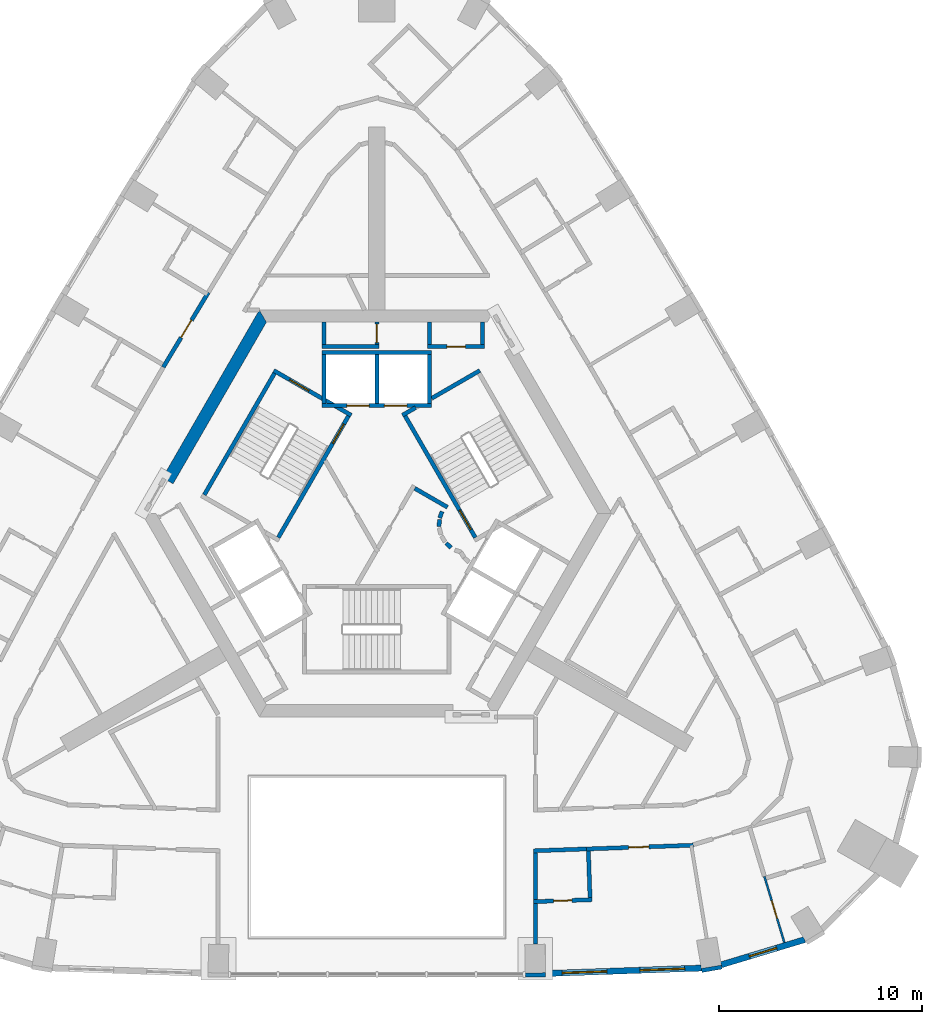
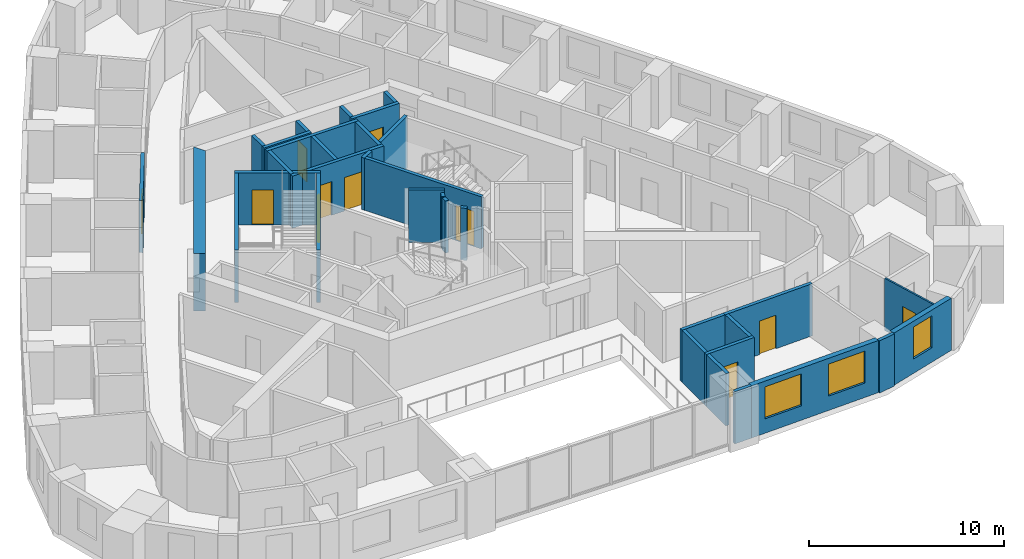
# One storey, part 6 of 12: 34 walls, 11 doors, 3 windows, 14 openings.
"""IFC4 building model written with IfcOpenShell, lengths in metres."""

from ifc_helpers import new_model, si_unit, direction, frame, frame_2d, origin, place, context, subcontext, project, spatial, polyline, rectangle, outline, extrude, material, layer, layer_set, type_object, element, fill, save


model = new_model("IFC4")

# Units and contexts
model_context = context("Model", 3, precision=1e-05, world=origin(), true_north=direction((0.0, 1.0)))
body_context = subcontext(model_context, "Body", "Model", "MODEL_VIEW")
ifc_project = project(units=[si_unit("LENGTHUNIT", "METRE"), si_unit("AREAUNIT", "SQUARE_METRE"), si_unit("VOLUMEUNIT", "CUBIC_METRE"), si_unit("PLANEANGLEUNIT", "RADIAN"), si_unit("MASSUNIT", "GRAM", prefix="KILO")], contexts=[model_context])

# Site, building, storey
site_placement = place(None, origin())
site = spatial("IfcSite", under=ifc_project, at=site_placement, CompositionType="ELEMENT")
building_placement = place(site_placement, origin())
building = spatial("IfcBuilding", under=site, at=building_placement, Name="Entoto Arch Interchange Tower", CompositionType="ELEMENT")
storey_placement = place(building_placement, frame((0.0, 0.0, 255.800048828125)))
storey = spatial("IfcBuildingStorey", under=building, at=storey_placement, Name="L58", CompositionType="ELEMENT", Elevation=255.800048828125)

# Wall
ifc_material_1 = material(Name="Concrete C40/50", Category="concrete")
ifc_layer_1 = layer(ifc_material_1, 0.60009765625)
ifc_layer_set_1 = layer_set([ifc_layer_1], Name="Concrete C40/50")
wall_type_1 = type_object("IfcWallType", Name="Core wall 600 C40/50", PredefinedType="SHEAR", material=ifc_layer_set_1)
wall_1_placement = place(storey_placement, frame((0.0, 0.0, -0.340087890625)))
element("IfcWall", 1, at=wall_1_placement, inside=storey, type_object=wall_type_1, Name="Core wall NW L58", PredefinedType="SHEAR", context=body_context, shape_type="SweptSolid", body=[
    extrude(outline(polyline([(-10.534912109375, 4.2529296875), (-10.014892578125, 3.952880859375), (-5.427001953125, 11.89990234375), (-5.77392578125, 12.5), (-10.534912109375, 4.2529296875)])), origin(), (0.0, 0.0, 1.0), 3.60009765625),
])

# Wall, openings, doors
ifc_layer_2 = layer(ifc_material_1, 0.199951171875)
ifc_layer_set_2 = layer_set([ifc_layer_2], Name="Concrete C40/50")
wall_type_2 = type_object("IfcWallType", Name="LIFT SHAFT WALL 200", PredefinedType="STANDARD", material=ifc_layer_set_2)
wall_2_placement = place(storey_placement, frame((2.699951171875, 7.800048828125, 0.0), z_axis=(0.0, 0.0, 1.0), x_axis=(-1.0, 0.0, 0.0)))
wall_2 = element("IfcWall", 2, at=wall_2_placement, inside=storey, type_object=wall_type_2, Name="Shaft wall N1 front", PredefinedType="STANDARD", context=body_context, shape_type="SweptSolid", body=[
    extrude(rectangle(XDim=5.39990234375, YDim=0.199951171875, at=frame_2d((2.699951171875, 0.0))), origin(), (0.0, 0.0, 1.0), 3.260009765625),
])
opening_1_placement = place(wall_2_placement, frame((1.22509765625, 0.0, 0.0)))
opening_1 = element("IfcOpeningElement", 3, at=opening_1_placement, cuts=wall_2, Name="Opening LD-HR1-L58", PredefinedType="OPENING", context=body_context, shape_type="SweptSolid", body=[
    extrude(rectangle(XDim=1.10009765625, YDim=2.10009765625, at=frame_2d((0.550048828125, 1.050048828125))), frame((0.0, 0.10986328125, 0.0), z_axis=(0.0, -1.0, 0.0), x_axis=(1.0, 0.0, 0.0)), (0.0, 0.0, 1.0), 0.219970703125),
])
opening_2_placement = place(wall_2_placement, frame((3.074951171875, 0.0, 0.0)))
opening_2 = element("IfcOpeningElement", 4, at=opening_2_placement, cuts=wall_2, Name="Opening LD-HR2-L58", PredefinedType="OPENING", context=body_context, shape_type="SweptSolid", body=[
    extrude(rectangle(XDim=1.10009765625, YDim=2.10009765625, at=frame_2d((0.550048828125, 1.050048828125))), frame((0.0, 0.10986328125, 0.0), z_axis=(0.0, -1.0, 0.0), x_axis=(1.0, 0.0, 0.0)), (0.0, 0.0, 1.0), 0.219970703125),
])
ifc_material_2 = material(Name="Stainless steel 1.4301 panels", Category="steel")
door_type_1 = type_object("IfcDoorType", Name="LIFT LANDING DOOR LD1 1100x2100", OperationType="SLIDING_TO_LEFT", PredefinedType="DOOR", material=ifc_material_2)
door_1_placement = place(opening_1_placement, origin())
door_1 = element("IfcDoor", 5, at=door_1_placement, inside=storey, type_object=door_type_1, Name="Lift landing door HR1 L58", OperationType="SLIDING_TO_LEFT", OverallHeight=2.10009765625, OverallWidth=1.10009765625, PredefinedType="DOOR", context=body_context, shape_type="SweptSolid", body=[
    extrude(rectangle(XDim=1.10009765625, YDim=2.10009765625, at=frame_2d((0.550048828125, 1.050048828125))), frame((0.0, 0.02490234375, 0.0), z_axis=(0.0, -1.0, 0.0), x_axis=(1.0, 0.0, 0.0)), (0.0, 0.0, 1.0), 0.050048828125),
])
fill(opening_1, door_1)
door_2_placement = place(opening_2_placement, origin())
door_2 = element("IfcDoor", 6, at=door_2_placement, inside=storey, type_object=door_type_1, Name="Lift landing door HR2 L58", OperationType="SLIDING_TO_LEFT", OverallHeight=2.10009765625, OverallWidth=1.10009765625, PredefinedType="DOOR", context=body_context, shape_type="SweptSolid", body=[
    extrude(rectangle(XDim=1.10009765625, YDim=2.10009765625, at=frame_2d((0.550048828125, 1.050048828125))), frame((0.0, 0.02490234375, 0.0), z_axis=(0.0, -1.0, 0.0), x_axis=(1.0, 0.0, 0.0)), (0.0, 0.0, 1.0), 0.050048828125),
])
fill(opening_2, door_2)

# Walls
wall_3_placement = place(storey_placement, frame((2.699951171875, 10.39990234375, 0.0), z_axis=(0.0, 0.0, 1.0), x_axis=(-1.0, 0.0, 0.0)))
element("IfcWall", 7, at=wall_3_placement, inside=storey, type_object=wall_type_2, Name="Shaft wall N1 back", PredefinedType="STANDARD", context=body_context, shape_type="SweptSolid", body=[
    extrude(rectangle(XDim=5.39990234375, YDim=0.199951171875, at=frame_2d((2.699951171875, 0.0))), origin(), (0.0, 0.0, 1.0), 3.260009765625),
])
for number, where, z_axis, x_axis, name in (
    (8, (2.60009765625, 7.89990234375, 0.0), (0.0, 0.0, 1.0), (0.0, 1.0, 0.0), "Shaft wall N1 cross 1"),
    (9, (0.0, 7.89990234375, 0.0), (0.0, 0.0, 1.0), (0.0, 1.0, 0.0), "Shaft wall N1 cross 2"),
    (10, (-2.60009765625, 7.89990234375, 0.0), (0.0, 0.0, 1.0), (0.0, 1.0, 0.0), "Shaft wall N1 cross 3"),
):
    element("IfcWall", number, at=place(storey_placement, frame(where, z_axis=z_axis, x_axis=x_axis)), inside=storey, type_object=wall_type_2, Name=name, PredefinedType="STANDARD", context=body_context, shape_type="SweptSolid", body=[
        extrude(rectangle(XDim=2.400146484375, YDim=0.199951171875, at=frame_2d((1.2001953125, 0.0))), origin(), (0.0, 0.0, 1.0), 3.260009765625),
    ])

# Wall, opening, door
ifc_material_3 = material(Name="Gypsum board partition on steel studs", Category="steel")
ifc_layer_3 = layer(ifc_material_3, 0.10009765625)
ifc_layer_set_3 = layer_set([ifc_layer_3], Name="Gypsum board partition on steel studs")
wall_type_3 = type_object("IfcWallType", Name="PARTITION 100", PredefinedType="PARTITIONING", material=ifc_layer_set_3)
wall_4_placement = place(storey_placement, frame((19.053955078125, -15.343994140625, 0.0), z_axis=(0.0, 0.0, 1.0), x_axis=(0.288803435252, -0.957388414274, 0.0)))
wall_4 = element("IfcWall", 11, at=wall_4_placement, inside=storey, type_object=wall_type_3, Name="wall:L58:p125", PredefinedType="PARTITIONING", context=body_context, shape_type="SweptSolid", body=[
    extrude(rectangle(XDim=3.39990234375, YDim=0.10009765625, at=frame_2d((1.699951171875, 0.0))), origin(), (0.0, 0.0, 1.0), 3.260009765625),
])
opening_3_placement = place(wall_4_placement, frame((1.25, 0.0, 0.0)))
opening_3 = element("IfcOpeningElement", 12, at=opening_3_placement, cuts=wall_4, Name="Opening L58-D04", PredefinedType="OPENING", context=body_context, shape_type="SweptSolid", body=[
    extrude(rectangle(XDim=0.89990234375, YDim=2.10009765625, at=frame_2d((0.449951171875, 1.050048828125))), frame((0.0, 0.06005859375, 0.0), z_axis=(0.0, -1.0, 0.0), x_axis=(1.0, 0.0, 0.0)), (0.0, 0.0, 1.0), 0.1201171875),
])
ifc_material_4 = material(Name="Timber door leaf in Steel S235 frame", Category="steel")
door_type_2 = type_object("IfcDoorType", Name="DOOR DS-09 900x2100", OperationType="SINGLE_SWING_LEFT", PredefinedType="DOOR", material=ifc_material_4)
door_3_placement = place(opening_3_placement, origin())
door_3 = element("IfcDoor", 13, at=door_3_placement, inside=storey, type_object=door_type_2, Name="door:L58:04", OperationType="SINGLE_SWING_RIGHT", OverallHeight=2.10009765625, OverallWidth=0.89990234375, PredefinedType="DOOR", context=body_context, shape_type="SweptSolid", body=[
    extrude(rectangle(XDim=0.89990234375, YDim=2.10009765625, at=frame_2d((0.449951171875, 1.050048828125))), frame((0.0, 0.02490234375, 0.0), z_axis=(0.0, -1.0, 0.0), x_axis=(1.0, 0.0, 0.0)), (0.0, 0.0, 1.0), 0.050048828125),
])
fill(opening_3, door_3)

ifc_layer_4 = layer(ifc_material_3, 0.199951171875)
ifc_layer_set_4 = layer_set([ifc_layer_4], Name="Gypsum board partition on steel studs")
wall_type_4 = type_object("IfcWallType", Name="PARTITION 200", PredefinedType="PARTITIONING", material=ifc_layer_set_4)
wall_5_placement = place(storey_placement, frame((15.55908203125, -13.81396484375, 0.0), z_axis=(0.0, 0.0, 1.0), x_axis=(-0.999388410674, -0.034968623214, 0.0)))
wall_5 = element("IfcWall", 14, at=wall_5_placement, inside=storey, type_object=wall_type_4, Name="wall:L58:p036", PredefinedType="PARTITIONING", context=body_context, shape_type="SweptSolid", body=[
    extrude(rectangle(XDim=5.26416015625, YDim=0.199951171875, at=frame_2d((2.632080078125, 0.0))), origin(), (0.0, 0.0, 1.0), 3.260009765625),
])
opening_4_placement = place(wall_5_placement, frame((2.181884765625, 0.0, 0.0)))
opening_4 = element("IfcOpeningElement", 15, at=opening_4_placement, cuts=wall_5, Name="Opening L58-D01", PredefinedType="OPENING", context=body_context, shape_type="SweptSolid", body=[
    extrude(rectangle(XDim=1.0, YDim=2.10009765625, at=frame_2d((0.5, 1.050048828125))), frame((0.0, 0.10986328125, 0.0), z_axis=(0.0, -1.0, 0.0), x_axis=(1.0, 0.0, 0.0)), (0.0, 0.0, 1.0), 0.219970703125),
])
ifc_material_5 = material(Name="Fire-rated Steel S235 door and frame", Category="steel")
door_type_3 = type_object("IfcDoorType", Name="DOOR FD-10 1000x2100", OperationType="SINGLE_SWING_LEFT", PredefinedType="DOOR", material=ifc_material_5)
door_4_placement = place(opening_4_placement, origin())
door_4 = element("IfcDoor", 16, at=door_4_placement, inside=storey, type_object=door_type_3, Name="door:L58:01", OperationType="SINGLE_SWING_LEFT", OverallHeight=2.10009765625, OverallWidth=1.0, PredefinedType="DOOR", context=body_context, shape_type="SweptSolid", body=[
    extrude(rectangle(XDim=1.0, YDim=2.10009765625, at=frame_2d((0.5, 1.050048828125))), frame((0.0, 0.02490234375, 0.0), z_axis=(0.0, -1.0, 0.0), x_axis=(1.0, 0.0, 0.0)), (0.0, 0.0, 1.0), 0.050048828125),
])
fill(opening_4, door_4)

# Wall
wall_6_placement = place(storey_placement, frame((10.298095703125, -13.998046875, 0.0), z_axis=(0.0, 0.0, 1.0), x_axis=(-0.999386321032, -0.035028293342, 0.0)))
element("IfcWall", 17, at=wall_6_placement, inside=storey, type_object=wall_type_4, Name="wall:L58:p037", PredefinedType="PARTITIONING", context=body_context, shape_type="SweptSolid", body=[
    extrude(rectangle(XDim=2.599853515625, YDim=0.199951171875, at=frame_2d((1.2998046875, 0.0))), origin(), (0.0, 0.0, 1.0), 3.260009765625),
])

# Wall, opening, door
wall_7_placement = place(storey_placement, frame((-10.498046875, 9.68896484375, 0.0), z_axis=(0.0, 0.0, 1.0), x_axis=(0.516353342298, 0.856375633643, 0.0)))
wall_7 = element("IfcWall", 18, at=wall_7_placement, inside=storey, type_object=wall_type_4, Name="wall:L58:p058", PredefinedType="PARTITIONING", context=body_context, shape_type="SweptSolid", body=[
    extrude(rectangle(XDim=4.2880859375, YDim=0.199951171875, at=frame_2d((2.14404296875, 0.0))), origin(), (0.0, 0.0, 1.0), 3.260009765625),
])
opening_5_placement = place(wall_7_placement, frame((1.694091796875, 0.0, 0.0)))
opening_5 = element("IfcOpeningElement", 19, at=opening_5_placement, cuts=wall_7, Name="Opening L58-D21", PredefinedType="OPENING", context=body_context, shape_type="SweptSolid", body=[
    extrude(rectangle(XDim=1.0, YDim=2.10009765625, at=frame_2d((0.5, 1.050048828125))), frame((0.0, 0.10986328125, 0.0), z_axis=(0.0, -1.0, 0.0), x_axis=(1.0, 0.0, 0.0)), (0.0, 0.0, 1.0), 0.219970703125),
])
door_5_placement = place(opening_5_placement, origin())
door_5 = element("IfcDoor", 20, at=door_5_placement, inside=storey, type_object=door_type_3, Name="door:L58:21", OperationType="SINGLE_SWING_RIGHT", OverallHeight=2.10009765625, OverallWidth=1.0, PredefinedType="DOOR", context=body_context, shape_type="SweptSolid", body=[
    extrude(rectangle(XDim=1.0, YDim=2.10009765625, at=frame_2d((0.5, 1.050048828125))), frame((0.0, 0.02490234375, 0.0), z_axis=(0.0, -1.0, 0.0), x_axis=(1.0, 0.0, 0.0)), (0.0, 0.0, 1.0), 0.050048828125),
])
fill(opening_5, door_5)

# Wall
wall_8_placement = place(storey_placement, frame((5.199951171875, 11.89990234375, 0.0), z_axis=(0.0, 0.0, 1.0), x_axis=(0.0, -1.0, 0.0)))
element("IfcWall", 21, at=wall_8_placement, inside=storey, type_object=wall_type_4, Name="wall:L58:p072", PredefinedType="PARTITIONING", context=body_context, shape_type="SweptSolid", body=[
    extrude(rectangle(XDim=1.099853515625, YDim=0.199951171875, at=frame_2d((0.5498046875, 0.0))), origin(), (0.0, 0.0, 1.0), 3.260009765625),
])

# Wall, opening, door
wall_9_placement = place(storey_placement, frame((5.300048828125, 10.699951171875, 0.0), z_axis=(0.0, 0.0, 1.0), x_axis=(-1.0, 0.0, 0.0)))
wall_9 = element("IfcWall", 22, at=wall_9_placement, inside=storey, type_object=wall_type_4, Name="wall:L58:p073", PredefinedType="PARTITIONING", context=body_context, shape_type="SweptSolid", body=[
    extrude(rectangle(XDim=2.800048828125, YDim=0.199951171875, at=frame_2d((1.39990234375, 0.0))), origin(), (0.0, 0.0, 1.0), 3.260009765625),
])
opening_6_placement = place(wall_9_placement, frame((0.949951171875, 0.0, 0.0)))
opening_6 = element("IfcOpeningElement", 23, at=opening_6_placement, cuts=wall_9, Name="Opening L58-D48", PredefinedType="OPENING", context=body_context, shape_type="SweptSolid", body=[
    extrude(rectangle(XDim=0.89990234375, YDim=2.10009765625, at=frame_2d((0.449951171875, 1.050048828125))), frame((0.0, 0.10986328125, 0.0), z_axis=(0.0, -1.0, 0.0), x_axis=(1.0, 0.0, 0.0)), (0.0, 0.0, 1.0), 0.219970703125),
])
door_6_placement = place(opening_6_placement, origin())
door_6 = element("IfcDoor", 24, at=door_6_placement, inside=storey, type_object=door_type_2, Name="door:L58:48", OperationType="SINGLE_SWING_RIGHT", OverallHeight=2.10009765625, OverallWidth=0.89990234375, PredefinedType="DOOR", context=body_context, shape_type="SweptSolid", body=[
    extrude(rectangle(XDim=0.89990234375, YDim=2.10009765625, at=frame_2d((0.449951171875, 1.050048828125))), frame((0.0, 0.02490234375, 0.0), z_axis=(0.0, -1.0, 0.0), x_axis=(1.0, 0.0, 0.0)), (0.0, 0.0, 1.0), 0.050048828125),
])
fill(opening_6, door_6)

# Wall
wall_10_placement = place(storey_placement, frame((2.60009765625, 10.800048828125, 0.0), z_axis=(0.0, 0.0, 1.0), x_axis=(0.0, 1.0, 0.0)))
element("IfcWall", 25, at=wall_10_placement, inside=storey, type_object=wall_type_4, Name="wall:L58:p074", PredefinedType="PARTITIONING", context=body_context, shape_type="SweptSolid", body=[
    extrude(rectangle(XDim=1.099853515625, YDim=0.199951171875, at=frame_2d((0.5498046875, 0.0))), origin(), (0.0, 0.0, 1.0), 3.260009765625),
])

# Wall, opening, door
wall_11_placement = place(storey_placement, frame((0.0, 11.89990234375, 0.0), z_axis=(0.0, 0.0, 1.0), x_axis=(0.0, -1.0, 0.0)))
wall_11 = element("IfcWall", 26, at=wall_11_placement, inside=storey, type_object=wall_type_4, Name="wall:L58:p075", PredefinedType="PARTITIONING", context=body_context, shape_type="SweptSolid", body=[
    extrude(rectangle(XDim=1.099853515625, YDim=0.199951171875, at=frame_2d((0.5498046875, 0.0))), origin(), (0.0, 0.0, 1.0), 3.260009765625),
])
opening_7_placement = place(wall_11_placement, frame((0.10009765625, 0.0, 0.0)))
opening_7 = element("IfcOpeningElement", 27, at=opening_7_placement, cuts=wall_11, Name="Opening L58-D49", PredefinedType="OPENING", context=body_context, shape_type="SweptSolid", body=[
    extrude(rectangle(XDim=0.89990234375, YDim=2.10009765625, at=frame_2d((0.449951171875, 1.050048828125))), frame((0.0, 0.10986328125, 0.0), z_axis=(0.0, -1.0, 0.0), x_axis=(1.0, 0.0, 0.0)), (0.0, 0.0, 1.0), 0.219970703125),
])
door_7_placement = place(opening_7_placement, origin())
door_7 = element("IfcDoor", 28, at=door_7_placement, inside=storey, type_object=door_type_2, Name="door:L58:49", OperationType="SINGLE_SWING_LEFT", OverallHeight=2.10009765625, OverallWidth=0.89990234375, PredefinedType="DOOR", context=body_context, shape_type="SweptSolid", body=[
    extrude(rectangle(XDim=0.89990234375, YDim=2.10009765625, at=frame_2d((0.449951171875, 1.050048828125))), frame((0.0, 0.02490234375, 0.0), z_axis=(0.0, -1.0, 0.0), x_axis=(1.0, 0.0, 0.0)), (0.0, 0.0, 1.0), 0.050048828125),
])
fill(opening_7, door_7)

# Walls
wall_12_placement = place(storey_placement, frame((0.10009765625, 10.699951171875, 0.0), z_axis=(0.0, 0.0, 1.0), x_axis=(-1.0, 0.0, 0.0)))
element("IfcWall", 29, at=wall_12_placement, inside=storey, type_object=wall_type_4, Name="wall:L58:p076", PredefinedType="PARTITIONING", context=body_context, shape_type="SweptSolid", body=[
    extrude(rectangle(XDim=2.800048828125, YDim=0.199951171875, at=frame_2d((1.39990234375, 0.0))), origin(), (0.0, 0.0, 1.0), 3.260009765625),
])
wall_13_placement = place(storey_placement, frame((-2.60009765625, 10.800048828125, 0.0), z_axis=(0.0, 0.0, 1.0), x_axis=(0.0, 1.0, 0.0)))
element("IfcWall", 30, at=wall_13_placement, inside=storey, type_object=wall_type_4, Name="wall:L58:p077", PredefinedType="PARTITIONING", context=body_context, shape_type="SweptSolid", body=[
    extrude(rectangle(XDim=1.099853515625, YDim=0.199951171875, at=frame_2d((0.5498046875, 0.0))), origin(), (0.0, 0.0, 1.0), 3.260009765625),
])
wall_14_placement = place(storey_placement, frame((1.865966796875, 3.73193359375, 0.0), z_axis=(0.0, 0.0, 1.0), x_axis=(0.866043361281, -0.499968895414, 0.0)))
element("IfcWall", 31, at=wall_14_placement, inside=storey, type_object=wall_type_4, Name="wall:L58:p095", PredefinedType="PARTITIONING", context=body_context, shape_type="SweptSolid", body=[
    extrude(rectangle(XDim=1.85791015625, YDim=0.199951171875, at=frame_2d((0.928955078125, 0.0))), origin(), (0.0, 0.0, 1.0), 3.260009765625),
])
wall_15_placement = place(storey_placement, frame((3.2080078125, 2.592041015625, 0.0), z_axis=(0.0, 0.0, 1.0), x_axis=(-0.337388820924, -0.941365382578, 0.0)))
element("IfcWall", 32, at=wall_15_placement, inside=storey, type_object=wall_type_4, Name="wall:L58:p096", PredefinedType="PARTITIONING", context=body_context, shape_type="SweptSolid", body=[
    extrude(rectangle(XDim=0.337890625, YDim=0.199951171875, at=frame_2d((0.1689453125, 0.0))), origin(), (0.0, 0.0, 1.0), 3.260009765625),
])
wall_16_placement = place(storey_placement, frame((3.0791015625, 2.198974609375, 0.0), z_axis=(0.0, 0.0, 1.0), x_axis=(-0.047771483479, -0.998858290933, 0.0)))
element("IfcWall", 33, at=wall_16_placement, inside=storey, type_object=wall_type_4, Name="wall:L58:p097", PredefinedType="PARTITIONING", context=body_context, shape_type="SweptSolid", body=[
    extrude(rectangle(XDim=0.33740234375, YDim=0.199951171875, at=frame_2d((0.168701171875, 0.0))), origin(), (0.0, 0.0, 1.0), 3.260009765625),
])
wall_17_placement = place(storey_placement, frame((3.404052734375, 1.0390625, 0.0), z_axis=(0.0, 0.0, 1.0), x_axis=(0.740267097712, -0.672312891476, 0.0)))
element("IfcWall", 34, at=wall_17_placement, inside=storey, type_object=wall_type_4, Name="wall:L58:p100", PredefinedType="PARTITIONING", context=body_context, shape_type="SweptSolid", body=[
    extrude(rectangle(XDim=0.337646484375, YDim=0.199951171875, at=frame_2d((0.1689453125, 0.0))), origin(), (0.0, 0.0, 1.0), 3.260009765625),
])
wall_18_placement = place(storey_placement, frame((7.800048828125, -16.68603515625, 0.0), z_axis=(0.0, 0.0, 1.0), x_axis=(0.0, -1.0, 0.0)))
element("IfcWall", 35, at=wall_18_placement, inside=storey, type_object=wall_type_4, Name="wall:L58:p107", PredefinedType="PARTITIONING", context=body_context, shape_type="SweptSolid", body=[
    extrude(rectangle(XDim=1.98291015625, YDim=0.199951171875, at=frame_2d((0.991455078125, 0.0))), origin(), (0.0, 0.0, 1.0), 3.260009765625),
])
wall_19_placement = place(storey_placement, frame((7.800048828125, -14.18505859375, 0.0), z_axis=(0.0, 0.0, 1.0), x_axis=(0.0, -1.0, 0.0)))
element("IfcWall", 36, at=wall_19_placement, inside=storey, type_object=wall_type_4, Name="wall:L58:p108", PredefinedType="PARTITIONING", context=body_context, shape_type="SweptSolid", body=[
    extrude(rectangle(XDim=2.301025390625, YDim=0.199951171875, at=frame_2d((1.150390625, 0.0))), origin(), (0.0, 0.0, 1.0), 3.260009765625),
])

# Wall, opening, door
wall_20_placement = place(storey_placement, frame((7.699951171875, -16.589111328125, 0.0), z_axis=(0.0, 0.0, 1.0), x_axis=(0.999410709261, 0.034325416459, 0.0)))
wall_20 = element("IfcWall", 37, at=wall_20_placement, inside=storey, type_object=wall_type_4, Name="wall:L58:p122", PredefinedType="PARTITIONING", context=body_context, shape_type="SweptSolid", body=[
    extrude(rectangle(XDim=2.8876953125, YDim=0.199951171875, at=frame_2d((1.44384765625, 0.0))), origin(), (0.0, 0.0, 1.0), 3.260009765625),
])
opening_8_placement = place(wall_20_placement, frame((0.993896484375, 0.0, 0.0)))
opening_8 = element("IfcOpeningElement", 38, at=opening_8_placement, cuts=wall_20, Name="Opening L58-D02", PredefinedType="OPENING", context=body_context, shape_type="SweptSolid", body=[
    extrude(rectangle(XDim=0.89990234375, YDim=2.10009765625, at=frame_2d((0.449951171875, 1.050048828125))), frame((0.0, 0.10986328125, 0.0), z_axis=(0.0, -1.0, 0.0), x_axis=(1.0, 0.0, 0.0)), (0.0, 0.0, 1.0), 0.219970703125),
])
door_8_placement = place(opening_8_placement, origin())
door_8 = element("IfcDoor", 39, at=door_8_placement, inside=storey, type_object=door_type_2, Name="door:L58:02", OperationType="SINGLE_SWING_LEFT", OverallHeight=2.10009765625, OverallWidth=0.89990234375, PredefinedType="DOOR", context=body_context, shape_type="SweptSolid", body=[
    extrude(rectangle(XDim=0.89990234375, YDim=2.10009765625, at=frame_2d((0.449951171875, 1.050048828125))), frame((0.0, 0.02490234375, 0.0), z_axis=(0.0, -1.0, 0.0), x_axis=(1.0, 0.0, 0.0)), (0.0, 0.0, 1.0), 0.050048828125),
])
fill(opening_8, door_8)

# Walls
wall_21_placement = place(storey_placement, frame((10.48193359375, -16.39306640625, 0.0), z_axis=(0.0, 0.0, 1.0), x_axis=(-0.034703518322, 0.999397651496, 0.0)))
element("IfcWall", 40, at=wall_21_placement, inside=storey, type_object=wall_type_4, Name="wall:L58:p123", PredefinedType="PARTITIONING", context=body_context, shape_type="SweptSolid", body=[
    extrude(rectangle(XDim=2.300537109375, YDim=0.199951171875, at=frame_2d((1.150390625, 0.0))), origin(), (0.0, 0.0, 1.0), 3.260009765625),
])
ifc_layer_5 = layer(ifc_material_1, 0.199951171875)
ifc_layer_set_5 = layer_set([ifc_layer_5], Name="Concrete C40/50")
wall_type_5 = type_object("IfcWallType", Name="STAIR ENCLOSURE WALL 200", PredefinedType="STANDARD", material=ifc_layer_set_5)
wall_22_placement = place(storey_placement, frame((2.699951171875, 8.157958984375, 0.0), z_axis=(0.0, 0.0, 1.0), x_axis=(0.86611865017, 0.499838457731, 0.0)))
element("IfcWall", 41, at=wall_22_placement, inside=storey, type_object=wall_type_5, Name="Stair wall ST-NE far", PredefinedType="STANDARD", context=body_context, shape_type="SweptSolid", body=[
    extrude(rectangle(XDim=2.73291015625, YDim=0.199951171875, at=frame_2d((1.366455078125, 0.0))), origin(), (0.0, 0.0, 1.0), 3.260009765625),
])
wall_23_placement = place(storey_placement, frame((1.256103515625, 7.323974609375, 0.0), z_axis=(0.0, 0.0, 1.0), x_axis=(0.865915093549, 0.500191014278, 0.0)))
element("IfcWall", 42, at=wall_23_placement, inside=storey, type_object=wall_type_5, Name="Stair wall ST-NE far return", PredefinedType="STANDARD", context=body_context, shape_type="SweptSolid", body=[
    extrude(rectangle(XDim=0.751708984375, YDim=0.199951171875, at=frame_2d((0.3759765625, 0.0))), origin(), (0.0, 0.0, 1.0), 3.260009765625),
])

# Wall, opening, door
wall_24_placement = place(storey_placement, frame((4.843017578125, 1.31201171875, 0.0), z_axis=(0.0, 0.0, 1.0), x_axis=(-0.499963383562, 0.866046543262, 0.0)))
wall_24 = element("IfcWall", 43, at=wall_24_placement, inside=storey, type_object=wall_type_5, Name="Stair wall ST-NE hall", PredefinedType="STANDARD", context=body_context, shape_type="SweptSolid", body=[
    extrude(rectangle(XDim=6.900390625, YDim=0.199951171875, at=frame_2d((3.4501953125, 0.0))), origin(), (0.0, 0.0, 1.0), 3.260009765625),
])
opening_9_placement = place(wall_24_placement, frame((0.449951171875, 0.0, 0.0)))
opening_9 = element("IfcOpeningElement", 44, at=opening_9_placement, cuts=wall_24, Name="Opening SD-ST-NE-L58", PredefinedType="OPENING", context=body_context, shape_type="SweptSolid", body=[
    extrude(rectangle(XDim=1.10009765625, YDim=2.199951171875, at=frame_2d((0.550048828125, 1.10009765625))), frame((0.0, 0.10986328125, 0.0), z_axis=(0.0, -1.0, 0.0), x_axis=(1.0, 0.0, 0.0)), (0.0, 0.0, 1.0), 0.219970703125),
])
ifc_material_6 = material(Name="Steel S235", Category="steel")
door_type_4 = type_object("IfcDoorType", Name="STAIR DOOR SD1 1100x2200", OperationType="SINGLE_SWING_LEFT", PredefinedType="DOOR", material=ifc_material_6)
door_9_placement = place(opening_9_placement, origin())
door_9 = element("IfcDoor", 45, at=door_9_placement, inside=storey, type_object=door_type_4, Name="Stair door ST-NE L58", OperationType="SINGLE_SWING_LEFT", OverallHeight=2.199951171875, OverallWidth=1.10009765625, PredefinedType="DOOR", context=body_context, shape_type="SweptSolid", body=[
    extrude(rectangle(XDim=1.10009765625, YDim=2.199951171875, at=frame_2d((0.550048828125, 1.10009765625))), frame((0.0, 0.02490234375, 0.0), z_axis=(0.0, -1.0, 0.0), x_axis=(1.0, 0.0, 0.0)), (0.0, 0.0, 1.0), 0.050048828125),
])
fill(opening_9, door_9)

wall_25_placement = place(storey_placement, frame((-1.256103515625, 7.323974609375, 0.0), z_axis=(0.0, 0.0, 1.0), x_axis=(-0.866046073146, 0.499964197906, 0.0)))
wall_25 = element("IfcWall", 46, at=wall_25_placement, inside=storey, type_object=wall_type_5, Name="Stair wall ST-NW near", PredefinedType="STANDARD", context=body_context, shape_type="SweptSolid", body=[
    extrude(rectangle(XDim=4.400146484375, YDim=0.199951171875, at=frame_2d((2.2001953125, 0.0))), origin(), (0.0, 0.0, 1.0), 3.260009765625),
])
opening_10_placement = place(wall_25_placement, frame((2.39990234375, 0.0, 0.0)))
opening_10 = element("IfcOpeningElement", 47, at=opening_10_placement, cuts=wall_25, Name="Opening SD-ST-NW-L58-E", PredefinedType="OPENING", context=body_context, shape_type="SweptSolid", body=[
    extrude(rectangle(XDim=1.10009765625, YDim=2.199951171875, at=frame_2d((0.550048828125, 1.10009765625))), frame((0.0, 0.10986328125, 0.0), z_axis=(0.0, -1.0, 0.0), x_axis=(1.0, 0.0, 0.0)), (0.0, 0.0, 1.0), 0.219970703125),
])
door_10_placement = place(opening_10_placement, origin())
door_10 = element("IfcDoor", 48, at=door_10_placement, inside=storey, type_object=door_type_4, Name="Stair door ST-NW L58 end", OperationType="SINGLE_SWING_LEFT", OverallHeight=2.199951171875, OverallWidth=1.10009765625, PredefinedType="DOOR", context=body_context, shape_type="SweptSolid", body=[
    extrude(rectangle(XDim=1.10009765625, YDim=2.199951171875, at=frame_2d((0.550048828125, 1.10009765625))), frame((0.0, 0.02490234375, 0.0), z_axis=(0.0, -1.0, 0.0), x_axis=(1.0, 0.0, 0.0)), (0.0, 0.0, 1.0), 0.050048828125),
])
fill(opening_10, door_10)

wall_26_placement = place(storey_placement, frame((-1.39306640625, 7.2880859375, 0.0), z_axis=(0.0, 0.0, 1.0), x_axis=(-0.499963383562, -0.866046543262, 0.0)))
wall_26 = element("IfcWall", 49, at=wall_26_placement, inside=storey, type_object=wall_type_5, Name="Stair wall ST-NW hall", PredefinedType="STANDARD", context=body_context, shape_type="SweptSolid", body=[
    extrude(rectangle(XDim=6.900390625, YDim=0.199951171875, at=frame_2d((3.4501953125, 0.0))), origin(), (0.0, 0.0, 1.0), 3.260009765625),
])
opening_11_placement = place(wall_26_placement, frame((0.449951171875, 0.0, 0.0)))
opening_11 = element("IfcOpeningElement", 50, at=opening_11_placement, cuts=wall_26, Name="Opening SD-ST-NW-L58", PredefinedType="OPENING", context=body_context, shape_type="SweptSolid", body=[
    extrude(rectangle(XDim=1.10009765625, YDim=2.199951171875, at=frame_2d((0.550048828125, 1.10009765625))), frame((0.0, 0.10986328125, 0.0), z_axis=(0.0, -1.0, 0.0), x_axis=(1.0, 0.0, 0.0)), (0.0, 0.0, 1.0), 0.219970703125),
])
door_11_placement = place(opening_11_placement, origin())
door_11 = element("IfcDoor", 51, at=door_11_placement, inside=storey, type_object=door_type_4, Name="Stair door ST-NW L58", OperationType="SINGLE_SWING_LEFT", OverallHeight=2.199951171875, OverallWidth=1.10009765625, PredefinedType="DOOR", context=body_context, shape_type="SweptSolid", body=[
    extrude(rectangle(XDim=1.10009765625, YDim=2.199951171875, at=frame_2d((0.550048828125, 1.10009765625))), frame((0.0, 0.02490234375, 0.0), z_axis=(0.0, -1.0, 0.0), x_axis=(1.0, 0.0, 0.0)), (0.0, 0.0, 1.0), 0.050048828125),
])
fill(opening_11, door_11)

# Wall
wall_27_placement = place(storey_placement, frame((-5.030029296875, 9.387939453125, 0.0), z_axis=(0.0, 0.0, 1.0), x_axis=(-0.499978703459, -0.866037698999, 0.0)))
element("IfcWall", 52, at=wall_27_placement, inside=storey, type_object=wall_type_5, Name="Stair wall ST-NW back", PredefinedType="STANDARD", context=body_context, shape_type="SweptSolid", body=[
    extrude(rectangle(XDim=6.900146484375, YDim=0.199951171875, at=frame_2d((3.4501953125, 0.0))), origin(), (0.0, 0.0, 1.0), 3.260009765625),
])

# Wall, openings, windows
ifc_material_7 = material(Name="Welded tuff (ignimbrite) cladding, warm buff", Category="masonry")
ifc_layer_6 = layer(ifc_material_7, 0.300048828125)
ifc_layer_set_6 = layer_set([ifc_layer_6], Name="Welded tuff (ignimbrite) cladding, warm buff")
wall_type_6 = type_object("IfcWallType", Name="STONE INFILL WALL 300", PredefinedType="STANDARD", material=ifc_layer_set_6)
wall_28_placement = place(storey_placement, frame((8.2958984375, -20.1220703125, 0.0), z_axis=(0.0, 0.0, 1.0), x_axis=(0.999387577449, 0.034992428331, 0.0)))
wall_28 = element("IfcWall", 53, at=wall_28_placement, inside=storey, type_object=wall_type_6, Name="Facade wall S-03 L58", PredefinedType="STANDARD", context=body_context, shape_type="SweptSolid", body=[
    extrude(rectangle(XDim=7.66064453125, YDim=0.300048828125, at=frame_2d((3.830322265625, 0.0))), origin(), (0.0, 0.0, 1.0), 3.260009765625),
])
opening_12_placement = place(wall_28_placement, frame((0.81494140625, 0.0, 0.89990234375)))
opening_12 = element("IfcOpeningElement", 54, at=opening_12_placement, cuts=wall_28, Name="Opening WH-A", PredefinedType="OPENING", context=body_context, shape_type="SweptSolid", body=[
    extrude(rectangle(XDim=2.199951171875, YDim=2.0, at=frame_2d((1.10009765625, 1.0))), frame((0.0, 0.16015625, 0.0), z_axis=(0.0, -1.0, 0.0), x_axis=(1.0, 0.0, 0.0)), (0.0, 0.0, 1.0), 0.320068359375),
])
opening_13_placement = place(wall_28_placement, frame((4.64599609375, 0.0, 0.89990234375)))
opening_13 = element("IfcOpeningElement", 55, at=opening_13_placement, cuts=wall_28, Name="Opening WH-A", PredefinedType="OPENING", context=body_context, shape_type="SweptSolid", body=[
    extrude(rectangle(XDim=2.199951171875, YDim=2.0, at=frame_2d((1.10009765625, 1.0))), frame((0.0, 0.16015625, 0.0), z_axis=(0.0, -1.0, 0.0), x_axis=(1.0, 0.0, 0.0)), (0.0, 0.0, 1.0), 0.320068359375),
])
ifc_material_8 = material(Name="Clear glass, low-e double glazed", Category="glass")
window_type_1 = type_object("IfcWindowType", Name="WINDOW WH-A 2200x2000", PartitioningType="DOUBLE_PANEL_VERTICAL", PredefinedType="WINDOW", material=ifc_material_8)
window_1_placement = place(opening_12_placement, origin())
window_1 = element("IfcWindow", 56, at=window_1_placement, inside=storey, type_object=window_type_1, Name="Window WH-A S-03 L58", OverallHeight=2.0, OverallWidth=2.199951171875, PartitioningType="SINGLE_PANEL", PredefinedType="WINDOW", context=body_context, shape_type="SweptSolid", body=[
    extrude(rectangle(XDim=2.199951171875, YDim=2.0, at=frame_2d((1.10009765625, 1.0))), frame((0.0, 0.030029296875, 0.0), z_axis=(0.0, -1.0, 0.0), x_axis=(1.0, 0.0, 0.0)), (0.0, 0.0, 1.0), 0.06005859375),
])
fill(opening_12, window_1)
window_2_placement = place(opening_13_placement, origin())
window_2 = element("IfcWindow", 57, at=window_2_placement, inside=storey, type_object=window_type_1, Name="Window WH-A S-03 L58", OverallHeight=2.0, OverallWidth=2.199951171875, PartitioningType="SINGLE_PANEL", PredefinedType="WINDOW", context=body_context, shape_type="SweptSolid", body=[
    extrude(rectangle(XDim=2.199951171875, YDim=2.0, at=frame_2d((1.10009765625, 1.0))), frame((0.0, 0.030029296875, 0.0), z_axis=(0.0, -1.0, 0.0), x_axis=(1.0, 0.0, 0.0)), (0.0, 0.0, 1.0), 0.06005859375),
])
fill(opening_13, window_2)

# Wall, opening, window
wall_29_placement = place(storey_placement, frame((16.93603515625, -19.69189453125, 0.0), z_axis=(0.0, 0.0, 1.0), x_axis=(0.957346168713, 0.288943442997, 0.0)))
wall_29 = element("IfcWall", 58, at=wall_29_placement, inside=storey, type_object=wall_type_6, Name="Facade wall SE-01 L58", PredefinedType="STANDARD", context=body_context, shape_type="SweptSolid", body=[
    extrude(rectangle(XDim=4.280517578125, YDim=0.300048828125, at=frame_2d((2.14013671875, 0.0))), origin(), (0.0, 0.0, 1.0), 3.260009765625),
])
opening_14_placement = place(wall_29_placement, frame((1.43994140625, 0.0, 0.89990234375)))
opening_14 = element("IfcOpeningElement", 59, at=opening_14_placement, cuts=wall_29, Name="Opening WH-B", PredefinedType="OPENING", context=body_context, shape_type="SweptSolid", body=[
    extrude(rectangle(XDim=1.39990234375, YDim=2.0, at=frame_2d((0.699951171875, 1.0))), frame((0.0, 0.16015625, 0.0), z_axis=(0.0, -1.0, 0.0), x_axis=(1.0, 0.0, 0.0)), (0.0, 0.0, 1.0), 0.320068359375),
])
window_type_2 = type_object("IfcWindowType", Name="WINDOW WH-B 1400x2000", PartitioningType="DOUBLE_PANEL_VERTICAL", PredefinedType="WINDOW", material=ifc_material_8)
window_3_placement = place(opening_14_placement, origin())
window_3 = element("IfcWindow", 60, at=window_3_placement, inside=storey, type_object=window_type_2, Name="Window WH-B SE-01 L58", OverallHeight=2.0, OverallWidth=1.39990234375, PartitioningType="SINGLE_PANEL", PredefinedType="WINDOW", context=body_context, shape_type="SweptSolid", body=[
    extrude(rectangle(XDim=1.39990234375, YDim=2.0, at=frame_2d((0.699951171875, 1.0))), frame((0.0, 0.030029296875, 0.0), z_axis=(0.0, -1.0, 0.0), x_axis=(1.0, 0.0, 0.0)), (0.0, 0.0, 1.0), 0.06005859375),
])
fill(opening_14, window_3)

# Walls
ifc_layer_7 = layer(ifc_material_7, 0.199951171875)
ifc_layer_set_7 = layer_set([ifc_layer_7], Name="Welded tuff (ignimbrite) cladding, warm buff")
wall_type_7 = type_object("IfcWallType", Name="STONE PIER CLADDING 200", PredefinedType="STANDARD", material=ifc_layer_set_7)
for number, where, z_axis, x_axis, name in (
    (61, (7.298095703125, -20.197998046875, 0.0), (0.0, 0.0, 1.0), (0.999836842422, 0.018063458579, 0.0), "Stone pier S03 L58"),
    (62, (15.969970703125, -19.970947265625, 0.0), (0.0, 0.0, 1.0), (0.985961725342, 0.166971483074, 0.0), "Stone pier S04 L58"),
):
    element("IfcWall", number, at=place(storey_placement, frame(where, z_axis=z_axis, x_axis=x_axis)), inside=storey, type_object=wall_type_7, Name=name, PredefinedType="STANDARD", context=body_context, shape_type="SweptSolid", body=[
        extrude(rectangle(XDim=1.000244140625, YDim=0.199951171875, at=frame_2d((0.5, 0.0))), origin(), (0.0, 0.0, 1.0), 3.260009765625),
    ])

save(model, "model.ifc")
